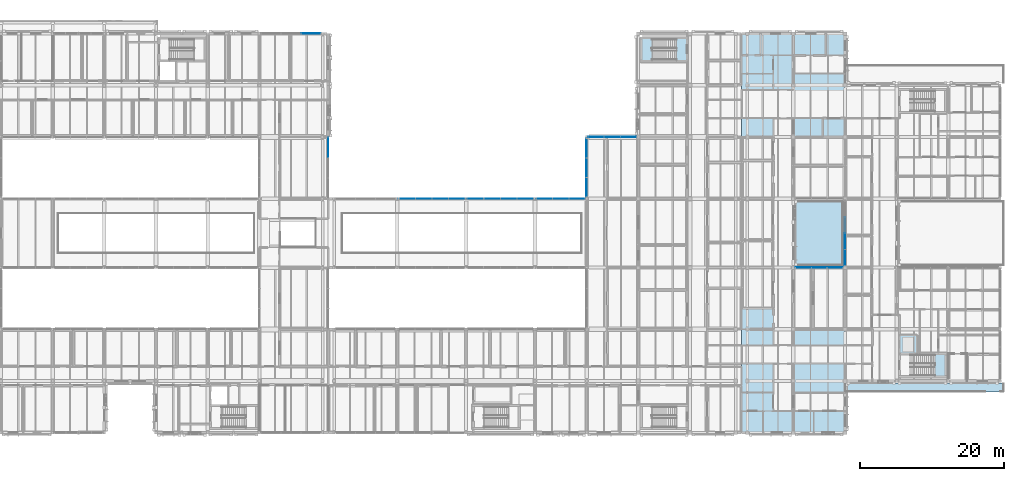
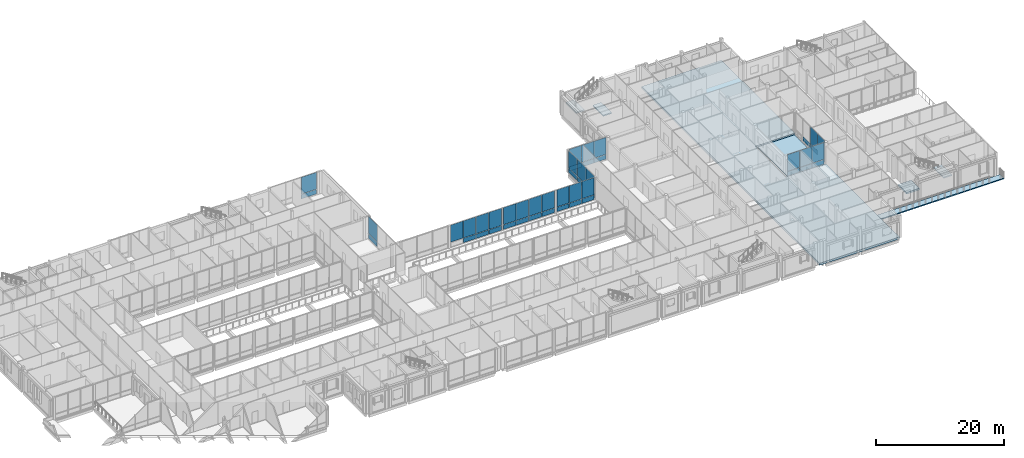
# One storey, part 101 of 146: 48 plates, 7 slabs, 11 elements without a shape of their own.
"""IFC4 building model written with IfcOpenShell, lengths in metres."""

from ifc_helpers import new_model, si_unit, direction, frame, origin, origin_2d, place, context, subcontext, project, spatial, polyline, rectangle, outline, extrude, material, layer, layer_set, type_object, element, aggregate, save


model = new_model("IFC4")

# Units and contexts
model_context = context("Model", 3, precision=1e-05, world=origin(), true_north=direction((0.0, 1.0)))
body_context = subcontext(model_context, "Body", "Model", "MODEL_VIEW")
ifc_project = project(units=[si_unit("LENGTHUNIT", "METRE"), si_unit("AREAUNIT", "SQUARE_METRE"), si_unit("VOLUMEUNIT", "CUBIC_METRE"), si_unit("PLANEANGLEUNIT", "RADIAN"), si_unit("MASSUNIT", "GRAM", prefix="KILO")], contexts=[model_context])

# Site, building, storey
site_placement = place(None, origin())
site = spatial("IfcSite", under=ifc_project, at=site_placement, CompositionType="ELEMENT")
building_placement = place(site_placement, origin())
building = spatial("IfcBuilding", under=site, at=building_placement, Name="Hawrajan Terrace Health Centre", CompositionType="ELEMENT")
storey_placement = place(building_placement, frame((0.0, 0.0, 4.5)))
storey = spatial("IfcBuildingStorey", under=building, at=storey_placement, Name="L01", CompositionType="ELEMENT", Elevation=4.5)

# Slab
ifc_material_1 = material(Name="Concrete C40/50", Category="concrete")
ifc_layer_1 = layer(ifc_material_1, 0.39990234375)
ifc_layer_set_1 = layer_set([ifc_layer_1], Name="Concrete C40/50")
slab_type_1 = type_object("IfcSlabType", Name="BaseSlab_RC400", PredefinedType="BASESLAB", material=ifc_layer_set_1)
slab_1_placement = place(storey_placement, frame((0.0, 0.0, -0.39990234375)))
element("IfcSlab", 1, at=slab_1_placement, inside=storey, type_object=slab_type_1, Name="Structural slab SL-L01-E-V5-Z5-1", PredefinedType="BASESLAB", context=body_context, shape_type="SweptSolid", body=[
    extrude(outline(polyline([(129.405029296875, 18.60009765625), (129.405029296875, 27.199951171875), (129.405029296875, 36.800048828125), (129.405029296875, 45.39990234375), (129.405029296875, 52.60009765625), (129.405029296875, 59.800048828125), (136.60009765625, 59.800048828125), (143.800048828125, 59.800048828125), (143.800048828125, 52.60009765625), (143.800048828125, 52.320068359375), (143.800048828125, 45.39990234375), (143.800048828125, 37.35009765625), (143.800048828125, 36.800048828125), (136.60009765625, 36.800048828125), (136.60009765625, 27.199951171875), (143.800048828125, 27.199951171875), (143.800048828125, 18.60009765625), (143.800048828125, 11.679931640625), (143.800048828125, 11.39990234375), (143.800048828125, 4.199951171875), (136.60009765625, 4.199951171875), (129.405029296875, 4.199951171875), (129.405029296875, 11.39990234375), (129.405029296875, 18.60009765625)])), origin(), (0.0, 0.0, 1.0), 0.39990234375),
])

# Curtain wall, plate
ifc_material_2 = material(Name="Anodized bronze aluminium and low-E solar glazing", Category="aluminium")
curtain_wall_type_1 = type_object("IfcCurtainWallType", Name="CW_Garden_SeriesF1", PredefinedType="USERDEFINED", material=ifc_material_2)
curtain_wall_1_placement = place(storey_placement, origin())
curtain_wall_1 = element("IfcCurtainWall", 2, at=curtain_wall_1_placement, inside=storey, type_object=curtain_wall_type_1, Name="Curtain wall CW-L01-086", ObjectType="UNITISED CURTAIN WALL", PredefinedType="USERDEFINED")
ifc_material_3 = material(Name="Diffused north-light insulated glazing", Category="glass")
ifc_layer_2 = layer(ifc_material_3, 0.031982421875)
ifc_layer_set_2 = layer_set([ifc_layer_2], Name="Diffused north-light insulated glazing")
plate_type_1 = type_object("IfcPlateType", Name="ClerestoryGlassPanel_32", PredefinedType="CURTAIN_PANEL", material=ifc_layer_set_2)
plate_1_placement = place(storey_placement, frame((69.385009765625, 59.800048828125, 0.9814453125), z_axis=(0.0, 0.0, 1.0), x_axis=(1.0, 0.0, 0.0)))
plate_1 = element("IfcPlate", 3, at=plate_1_placement, type_object=plate_type_1, Name="Curtain panel CW-L01-086-P3-2", PredefinedType="CURTAIN_PANEL", context=body_context, shape_type="SweptSolid", body=[
    extrude(rectangle(XDim=2.73193359375, YDim=0.031982421875, at=origin_2d()), origin(), (0.0, 0.0, 1.0), 3.20947265625),
])

# Curtain wall, plates
curtain_wall_type_2 = type_object("IfcCurtainWallType", Name="CW_Diagnostic_SeriesM1", PredefinedType="USERDEFINED", material=ifc_material_2)
curtain_wall_2_placement = place(storey_placement, origin())
curtain_wall_2 = element("IfcCurtainWall", 4, at=curtain_wall_2_placement, inside=storey, type_object=curtain_wall_type_2, Name="Curtain wall CW-L01-095", ObjectType="UNITISED CURTAIN WALL", PredefinedType="USERDEFINED")
plate_2_placement = place(storey_placement, frame((82.77197265625, 36.800048828125, 0.9814453125), z_axis=(0.0, 0.0, 1.0), x_axis=(1.0, 0.0, 0.0)))
plate_2 = element("IfcPlate", 5, at=plate_2_placement, type_object=plate_type_1, Name="Curtain panel CW-L01-095-P1-2", PredefinedType="CURTAIN_PANEL", context=body_context, shape_type="SweptSolid", body=[
    extrude(rectangle(XDim=2.245849609375, YDim=0.031982421875, at=origin_2d()), origin(), (0.0, 0.0, 1.0), 3.24951171875),
])
plate_3_placement = place(storey_placement, frame((85.080810546875, 36.800048828125, 0.9814453125), z_axis=(0.0, 0.0, 1.0), x_axis=(1.0, 0.0, 0.0)))
plate_3 = element("IfcPlate", 6, at=plate_3_placement, type_object=plate_type_1, Name="Curtain panel CW-L01-095-P2-2", PredefinedType="CURTAIN_PANEL", context=body_context, shape_type="SweptSolid", body=[
    extrude(rectangle(XDim=2.245849609375, YDim=0.031982421875, at=origin_2d()), origin(), (0.0, 0.0, 1.0), 3.24951171875),
])
plate_4_placement = place(storey_placement, frame((87.3896484375, 36.800048828125, 0.9814453125), z_axis=(0.0, 0.0, 1.0), x_axis=(1.0, 0.0, 0.0)))
plate_4 = element("IfcPlate", 7, at=plate_4_placement, type_object=plate_type_1, Name="Curtain panel CW-L01-095-P3-2", PredefinedType="CURTAIN_PANEL", context=body_context, shape_type="SweptSolid", body=[
    extrude(rectangle(XDim=2.245849609375, YDim=0.031982421875, at=origin_2d()), origin(), (0.0, 0.0, 1.0), 3.24951171875),
])
plate_5_placement = place(storey_placement, frame((89.698486328125, 36.800048828125, 0.9814453125), z_axis=(0.0, 0.0, 1.0), x_axis=(1.0, 0.0, 0.0)))
plate_5 = element("IfcPlate", 8, at=plate_5_placement, type_object=plate_type_1, Name="Curtain panel CW-L01-095-P4-2", PredefinedType="CURTAIN_PANEL", context=body_context, shape_type="SweptSolid", body=[
    extrude(rectangle(XDim=2.245849609375, YDim=0.031982421875, at=origin_2d()), origin(), (0.0, 0.0, 1.0), 3.24951171875),
])

curtain_wall_type_3 = type_object("IfcCurtainWallType", Name="CW_Court_SeriesA2", PredefinedType="USERDEFINED", material=ifc_material_2)
curtain_wall_3_placement = place(storey_placement, origin())
curtain_wall_3 = element("IfcCurtainWall", 9, at=curtain_wall_3_placement, inside=storey, type_object=curtain_wall_type_3, Name="Curtain wall CW-L01-098", ObjectType="UNITISED CURTAIN WALL", PredefinedType="USERDEFINED")
plate_6_placement = place(storey_placement, frame((92.30517578125, 36.800048828125, 0.9814453125), z_axis=(0.0, 0.0, 1.0), x_axis=(1.0, 0.0, 0.0)))
plate_6 = element("IfcPlate", 10, at=plate_6_placement, type_object=plate_type_1, Name="Curtain panel CW-L01-098-P1-2", PredefinedType="CURTAIN_PANEL", context=body_context, shape_type="SweptSolid", body=[
    extrude(rectangle(XDim=2.25341796875, YDim=0.031982421875, at=origin_2d()), origin(), (0.0, 0.0, 1.0), 3.24951171875),
])
plate_7_placement = place(storey_placement, frame((94.62158203125, 36.800048828125, 0.9814453125), z_axis=(0.0, 0.0, 1.0), x_axis=(1.0, 0.0, 0.0)))
plate_7 = element("IfcPlate", 11, at=plate_7_placement, type_object=plate_type_1, Name="Curtain panel CW-L01-098-P2-2", PredefinedType="CURTAIN_PANEL", context=body_context, shape_type="SweptSolid", body=[
    extrude(rectangle(XDim=2.25341796875, YDim=0.031982421875, at=origin_2d()), origin(), (0.0, 0.0, 1.0), 3.24951171875),
])
plate_8_placement = place(storey_placement, frame((96.93798828125, 36.800048828125, 0.9814453125), z_axis=(0.0, 0.0, 1.0), x_axis=(1.0, 0.0, 0.0)))
plate_8 = element("IfcPlate", 12, at=plate_8_placement, type_object=plate_type_1, Name="Curtain panel CW-L01-098-P3-2", PredefinedType="CURTAIN_PANEL", context=body_context, shape_type="SweptSolid", body=[
    extrude(rectangle(XDim=2.25341796875, YDim=0.031982421875, at=origin_2d()), origin(), (0.0, 0.0, 1.0), 3.24951171875),
])
plate_9_placement = place(storey_placement, frame((99.25439453125, 36.800048828125, 0.9814453125), z_axis=(0.0, 0.0, 1.0), x_axis=(1.0, 0.0, 0.0)))
plate_9 = element("IfcPlate", 13, at=plate_9_placement, type_object=plate_type_1, Name="Curtain panel CW-L01-098-P4-2", PredefinedType="CURTAIN_PANEL", context=body_context, shape_type="SweptSolid", body=[
    extrude(rectangle(XDim=2.25341796875, YDim=0.031982421875, at=origin_2d()), origin(), (0.0, 0.0, 1.0), 3.24951171875),
])

curtain_wall_type_4 = type_object("IfcCurtainWallType", Name="CW_Court_SeriesB2", PredefinedType="USERDEFINED", material=ifc_material_2)
curtain_wall_4_placement = place(storey_placement, origin())
curtain_wall_4 = element("IfcCurtainWall", 14, at=curtain_wall_4_placement, inside=storey, type_object=curtain_wall_type_4, Name="Curtain wall CW-L01-101", ObjectType="UNITISED CURTAIN WALL", PredefinedType="USERDEFINED")
plate_10_placement = place(storey_placement, frame((101.919921875, 36.800048828125, 0.9814453125), z_axis=(0.0, 0.0, 1.0), x_axis=(1.0, 0.0, 0.0)))
plate_10 = element("IfcPlate", 15, at=plate_10_placement, type_object=plate_type_1, Name="Curtain panel CW-L01-101-P1-2", PredefinedType="CURTAIN_PANEL", context=body_context, shape_type="SweptSolid", body=[
    extrude(rectangle(XDim=2.201904296875, YDim=0.031982421875, at=origin_2d()), origin(), (0.0, 0.0, 1.0), 3.24951171875),
])
plate_11_placement = place(storey_placement, frame((104.18505859375, 36.800048828125, 0.9814453125), z_axis=(0.0, 0.0, 1.0), x_axis=(1.0, 0.0, 0.0)))
plate_11 = element("IfcPlate", 16, at=plate_11_placement, type_object=plate_type_1, Name="Curtain panel CW-L01-101-P2-2", PredefinedType="CURTAIN_PANEL", context=body_context, shape_type="SweptSolid", body=[
    extrude(rectangle(XDim=2.201904296875, YDim=0.031982421875, at=origin_2d()), origin(), (0.0, 0.0, 1.0), 3.24951171875),
])
plate_12_placement = place(storey_placement, frame((106.449951171875, 36.800048828125, 0.9814453125), z_axis=(0.0, 0.0, 1.0), x_axis=(1.0, 0.0, 0.0)))
plate_12 = element("IfcPlate", 17, at=plate_12_placement, type_object=plate_type_1, Name="Curtain panel CW-L01-101-P3-2", PredefinedType="CURTAIN_PANEL", context=body_context, shape_type="SweptSolid", body=[
    extrude(rectangle(XDim=2.201904296875, YDim=0.031982421875, at=origin_2d()), origin(), (0.0, 0.0, 1.0), 3.24951171875),
])

curtain_wall_type_5 = type_object("IfcCurtainWallType", Name="CW_CourtNS_SeriesC2", PredefinedType="USERDEFINED", material=ifc_material_2)
curtain_wall_5_placement = place(storey_placement, origin())
curtain_wall_5 = element("IfcCurtainWall", 18, at=curtain_wall_5_placement, inside=storey, type_object=curtain_wall_type_5, Name="Curtain wall CW-L01-104", ObjectType="UNITISED CURTAIN WALL", PredefinedType="USERDEFINED")
plate_13_placement = place(storey_placement, frame((107.800048828125, 38.37841796875, 0.9814453125), z_axis=(0.0, 0.0, 1.0), x_axis=(0.0, 1.0, 0.0)))
plate_13 = element("IfcPlate", 19, at=plate_13_placement, type_object=plate_type_1, Name="Curtain panel CW-L01-104-P1-2", PredefinedType="CURTAIN_PANEL", context=body_context, shape_type="SweptSolid", body=[
    extrude(rectangle(XDim=2.65869140625, YDim=0.031982421875, at=origin_2d()), origin(), (0.0, 0.0, 1.0), 3.24951171875),
])
plate_14_placement = place(storey_placement, frame((107.800048828125, 41.10009765625, 0.9814453125), z_axis=(0.0, 0.0, 1.0), x_axis=(0.0, 1.0, 0.0)))
plate_14 = element("IfcPlate", 20, at=plate_14_placement, type_object=plate_type_1, Name="Curtain panel CW-L01-104-P2-2", PredefinedType="CURTAIN_PANEL", context=body_context, shape_type="SweptSolid", body=[
    extrude(rectangle(XDim=2.65869140625, YDim=0.031982421875, at=origin_2d()), origin(), (0.0, 0.0, 1.0), 3.24951171875),
])
plate_15_placement = place(storey_placement, frame((107.800048828125, 43.82177734375, 0.9814453125), z_axis=(0.0, 0.0, 1.0), x_axis=(0.0, 1.0, 0.0)))
plate_15 = element("IfcPlate", 21, at=plate_15_placement, type_object=plate_type_1, Name="Curtain panel CW-L01-104-P3-2", PredefinedType="CURTAIN_PANEL", context=body_context, shape_type="SweptSolid", body=[
    extrude(rectangle(XDim=2.65869140625, YDim=0.031982421875, at=origin_2d()), origin(), (0.0, 0.0, 1.0), 3.24951171875),
])

curtain_wall_type_6 = type_object("IfcCurtainWallType", Name="CW_Hall_SeriesD2", PredefinedType="USERDEFINED", material=ifc_material_2)
curtain_wall_6_placement = place(storey_placement, origin())
curtain_wall_6 = element("IfcCurtainWall", 22, at=curtain_wall_6_placement, inside=storey, type_object=curtain_wall_type_6, Name="Curtain wall CW-L01-107", ObjectType="UNITISED CURTAIN WALL", PredefinedType="USERDEFINED")
plate_16_placement = place(storey_placement, frame((143.800048828125, 28.615478515625, 0.9814453125), z_axis=(0.0, 0.0, 1.0), x_axis=(0.0, 1.0, 0.0)))
plate_16 = element("IfcPlate", 23, at=plate_16_placement, type_object=plate_type_1, Name="Curtain panel CW-L01-107-P1-2", PredefinedType="CURTAIN_PANEL", context=body_context, shape_type="SweptSolid", body=[
    extrude(rectangle(XDim=2.193115234375, YDim=0.031982421875, at=origin_2d()), origin(), (0.0, 0.0, 1.0), 3.20947265625),
])
plate_17_placement = place(storey_placement, frame((143.800048828125, 30.871826171875, 0.9814453125), z_axis=(0.0, 0.0, 1.0), x_axis=(0.0, 1.0, 0.0)))
plate_17 = element("IfcPlate", 24, at=plate_17_placement, type_object=plate_type_1, Name="Curtain panel CW-L01-107-P2-2", PredefinedType="CURTAIN_PANEL", context=body_context, shape_type="SweptSolid", body=[
    extrude(rectangle(XDim=2.193115234375, YDim=0.031982421875, at=origin_2d()), origin(), (0.0, 0.0, 1.0), 3.20947265625),
])

# Slabs
ifc_layer_3 = layer(ifc_material_1, 0.300048828125)
ifc_layer_set_3 = layer_set([ifc_layer_3], Name="Concrete C40/50")
slab_type_2 = type_object("IfcSlabType", Name="LiftPitSlab_RC300", PredefinedType="BASESLAB", material=ifc_layer_set_3)
slab_2_placement = place(storey_placement, frame((0.0, 0.0, -1.199951171875)))
element("IfcSlab", 25, at=slab_2_placement, inside=storey, type_object=slab_type_2, Name="Lift pit slab LC-06", PredefinedType="BASESLAB", context=body_context, shape_type="SweptSolid", body=[
    extrude(outline(polyline([(151.39990234375, 15.199951171875), (153.800048828125, 15.199951171875), (153.800048828125, 17.800048828125), (151.39990234375, 17.800048828125), (151.39990234375, 15.199951171875)])), origin(), (0.0, 0.0, 1.0), 0.300048828125),
])
ifc_layer_4 = layer(ifc_material_1, 0.199951171875)
ifc_layer_set_4 = layer_set([ifc_layer_4], Name="Concrete C40/50")
slab_type_3 = type_object("IfcSlabType", Name="SiteApronPaving_RC200", PredefinedType="BASESLAB", material=ifc_layer_set_4)
slab_3_placement = place(storey_placement, frame((0.0, 0.0, -0.199951171875)))
element("IfcSlab", 26, at=slab_3_placement, inside=storey, type_object=slab_type_3, Name="Exterior escarpment terrace APRON-L01-EAST-SOUTH", PredefinedType="BASESLAB", context=body_context, shape_type="SweptSolid", body=[
    extrude(outline(polyline([(143.800048828125, 9.89990234375), (165.949951171875, 9.89990234375), (165.949951171875, 11.090087890625), (143.800048828125, 11.090087890625), (143.800048828125, 9.89990234375)])), origin(), (0.0, 0.0, 1.0), 0.199951171875),
])
slab_4_placement = place(storey_placement, frame((0.0, 0.0, -0.199951171875)))
element("IfcSlab", 27, at=slab_4_placement, inside=storey, type_object=slab_type_3, Name="Exterior escarpment terrace APRON-L01-SERVICE", PredefinedType="BASESLAB", context=body_context, shape_type="SweptSolid", body=[
    extrude(outline(polyline([(136.909912109375, 27.510009765625), (143.489990234375, 27.510009765625), (143.489990234375, 36.489990234375), (136.909912109375, 36.489990234375), (136.909912109375, 27.510009765625)])), origin(), (0.0, 0.0, 1.0), 0.199951171875),
])

# Plate
ifc_material_4 = material(Name="Insulated anodized bronze spandrel panel")
ifc_layer_5 = layer(ifc_material_4, 0.048095703125)
ifc_layer_set_5 = layer_set([ifc_layer_5], Name="Insulated anodized bronze spandrel panel")
plate_type_2 = type_object("IfcPlateType", Name="SpandrelPanel_Bronze48", PredefinedType="CURTAIN_PANEL", material=ifc_layer_set_5)
plate_18_placement = place(storey_placement, frame((69.385009765625, 59.800048828125, 0.069091796875), z_axis=(0.0, 0.0, 1.0), x_axis=(1.0, 0.0, 0.0)))
plate_18 = element("IfcPlate", 28, at=plate_18_placement, type_object=plate_type_2, Name="Curtain panel CW-L01-086-P3-1", PredefinedType="CURTAIN_PANEL", context=body_context, shape_type="SweptSolid", body=[
    extrude(rectangle(XDim=2.73193359375, YDim=0.048095703125, at=origin_2d()), origin(), (0.0, 0.0, 1.0), 0.849609375),
])

aggregate(curtain_wall_1, [plate_18, plate_1])

plate_19_placement = place(storey_placement, frame((92.30517578125, 36.800048828125, 0.069091796875), z_axis=(0.0, 0.0, 1.0), x_axis=(1.0, 0.0, 0.0)))
plate_19 = element("IfcPlate", 29, at=plate_19_placement, type_object=plate_type_2, Name="Curtain panel CW-L01-098-P1-1", PredefinedType="CURTAIN_PANEL", context=body_context, shape_type="SweptSolid", body=[
    extrude(rectangle(XDim=2.25341796875, YDim=0.048095703125, at=origin_2d()), origin(), (0.0, 0.0, 1.0), 0.849609375),
])

plate_20_placement = place(storey_placement, frame((94.62158203125, 36.800048828125, 0.069091796875), z_axis=(0.0, 0.0, 1.0), x_axis=(1.0, 0.0, 0.0)))
plate_20 = element("IfcPlate", 30, at=plate_20_placement, type_object=plate_type_2, Name="Curtain panel CW-L01-098-P2-1", PredefinedType="CURTAIN_PANEL", context=body_context, shape_type="SweptSolid", body=[
    extrude(rectangle(XDim=2.25341796875, YDim=0.048095703125, at=origin_2d()), origin(), (0.0, 0.0, 1.0), 0.849609375),
])

plate_21_placement = place(storey_placement, frame((96.93798828125, 36.800048828125, 0.069091796875), z_axis=(0.0, 0.0, 1.0), x_axis=(1.0, 0.0, 0.0)))
plate_21 = element("IfcPlate", 31, at=plate_21_placement, type_object=plate_type_2, Name="Curtain panel CW-L01-098-P3-1", PredefinedType="CURTAIN_PANEL", context=body_context, shape_type="SweptSolid", body=[
    extrude(rectangle(XDim=2.25341796875, YDim=0.048095703125, at=origin_2d()), origin(), (0.0, 0.0, 1.0), 0.849609375),
])

plate_22_placement = place(storey_placement, frame((99.25439453125, 36.800048828125, 0.069091796875), z_axis=(0.0, 0.0, 1.0), x_axis=(1.0, 0.0, 0.0)))
plate_22 = element("IfcPlate", 32, at=plate_22_placement, type_object=plate_type_2, Name="Curtain panel CW-L01-098-P4-1", PredefinedType="CURTAIN_PANEL", context=body_context, shape_type="SweptSolid", body=[
    extrude(rectangle(XDim=2.25341796875, YDim=0.048095703125, at=origin_2d()), origin(), (0.0, 0.0, 1.0), 0.849609375),
])

aggregate(curtain_wall_3, [plate_19, plate_6, plate_20, plate_7, plate_21, plate_8, plate_22, plate_9])

plate_23_placement = place(storey_placement, frame((107.800048828125, 38.37841796875, 0.069091796875), z_axis=(0.0, 0.0, 1.0), x_axis=(0.0, 1.0, 0.0)))
plate_23 = element("IfcPlate", 33, at=plate_23_placement, type_object=plate_type_2, Name="Curtain panel CW-L01-104-P1-1", PredefinedType="CURTAIN_PANEL", context=body_context, shape_type="SweptSolid", body=[
    extrude(rectangle(XDim=2.65869140625, YDim=0.048095703125, at=origin_2d()), origin(), (0.0, 0.0, 1.0), 0.849609375),
])

plate_24_placement = place(storey_placement, frame((107.800048828125, 41.10009765625, 0.069091796875), z_axis=(0.0, 0.0, 1.0), x_axis=(0.0, 1.0, 0.0)))
plate_24 = element("IfcPlate", 34, at=plate_24_placement, type_object=plate_type_2, Name="Curtain panel CW-L01-104-P2-1", PredefinedType="CURTAIN_PANEL", context=body_context, shape_type="SweptSolid", body=[
    extrude(rectangle(XDim=2.65869140625, YDim=0.048095703125, at=origin_2d()), origin(), (0.0, 0.0, 1.0), 0.849609375),
])

plate_25_placement = place(storey_placement, frame((107.800048828125, 43.82177734375, 0.069091796875), z_axis=(0.0, 0.0, 1.0), x_axis=(0.0, 1.0, 0.0)))
plate_25 = element("IfcPlate", 35, at=plate_25_placement, type_object=plate_type_2, Name="Curtain panel CW-L01-104-P3-1", PredefinedType="CURTAIN_PANEL", context=body_context, shape_type="SweptSolid", body=[
    extrude(rectangle(XDim=2.65869140625, YDim=0.048095703125, at=origin_2d()), origin(), (0.0, 0.0, 1.0), 0.849609375),
])

aggregate(curtain_wall_5, [plate_23, plate_13, plate_24, plate_14, plate_25, plate_15])

# Curtain wall, plate
curtain_wall_type_7 = type_object("IfcCurtainWallType", Name="CW_Pavilion_SeriesE2", PredefinedType="USERDEFINED", material=ifc_material_2)
curtain_wall_7_placement = place(storey_placement, origin())
curtain_wall_7 = element("IfcCurtainWall", 36, at=curtain_wall_7_placement, inside=storey, type_object=curtain_wall_type_7, Name="Curtain wall CW-L01-085", ObjectType="UNITISED CURTAIN WALL", PredefinedType="USERDEFINED")
ifc_material_5 = material(Name="Insulated reconstituted coral-stone spandrel", Category="masonry")
ifc_layer_6 = layer(ifc_material_5, 0.055908203125)
ifc_layer_set_6 = layer_set([ifc_layer_6], Name="Insulated reconstituted coral-stone spandrel")
plate_type_3 = type_object("IfcPlateType", Name="SpandrelPanel_Coral56", PredefinedType="CURTAIN_PANEL", material=ifc_layer_set_6)
plate_26_placement = place(storey_placement, frame((71.794921875, 43.945068359375, 0.05908203125), z_axis=(0.0, 0.0, 1.0), x_axis=(0.0, 1.0, 0.0)))
plate_26 = element("IfcPlate", 37, at=plate_26_placement, type_object=plate_type_3, Name="Curtain panel CW-L01-085-P3-1", PredefinedType="CURTAIN_PANEL", context=body_context, shape_type="SweptSolid", body=[
    extrude(rectangle(XDim=2.7919921875, YDim=0.055908203125, at=origin_2d()), origin(), (0.0, 0.0, 1.0), 0.864501953125),
])

# Plate
plate_27_placement = place(storey_placement, frame((85.080810546875, 36.800048828125, 0.069091796875), z_axis=(0.0, 0.0, 1.0), x_axis=(1.0, 0.0, 0.0)))
plate_27 = element("IfcPlate", 38, at=plate_27_placement, type_object=plate_type_3, Name="Curtain panel CW-L01-095-P2-1", PredefinedType="CURTAIN_PANEL", context=body_context, shape_type="SweptSolid", body=[
    extrude(rectangle(XDim=2.245849609375, YDim=0.055908203125, at=origin_2d()), origin(), (0.0, 0.0, 1.0), 0.849609375),
])

plate_28_placement = place(storey_placement, frame((87.3896484375, 36.800048828125, 0.069091796875), z_axis=(0.0, 0.0, 1.0), x_axis=(1.0, 0.0, 0.0)))
plate_28 = element("IfcPlate", 39, at=plate_28_placement, type_object=plate_type_3, Name="Curtain panel CW-L01-095-P3-1", PredefinedType="CURTAIN_PANEL", context=body_context, shape_type="SweptSolid", body=[
    extrude(rectangle(XDim=2.245849609375, YDim=0.055908203125, at=origin_2d()), origin(), (0.0, 0.0, 1.0), 0.849609375),
])

plate_29_placement = place(storey_placement, frame((89.698486328125, 36.800048828125, 0.069091796875), z_axis=(0.0, 0.0, 1.0), x_axis=(1.0, 0.0, 0.0)))
plate_29 = element("IfcPlate", 40, at=plate_29_placement, type_object=plate_type_3, Name="Curtain panel CW-L01-095-P4-1", PredefinedType="CURTAIN_PANEL", context=body_context, shape_type="SweptSolid", body=[
    extrude(rectangle(XDim=2.245849609375, YDim=0.055908203125, at=origin_2d()), origin(), (0.0, 0.0, 1.0), 0.849609375),
])

aggregate(curtain_wall_2, [plate_2, plate_27, plate_3, plate_28, plate_4, plate_29, plate_5])

plate_30_placement = place(storey_placement, frame((101.919921875, 36.800048828125, 0.069091796875), z_axis=(0.0, 0.0, 1.0), x_axis=(1.0, 0.0, 0.0)))
plate_30 = element("IfcPlate", 41, at=plate_30_placement, type_object=plate_type_3, Name="Curtain panel CW-L01-101-P1-1", PredefinedType="CURTAIN_PANEL", context=body_context, shape_type="SweptSolid", body=[
    extrude(rectangle(XDim=2.201904296875, YDim=0.055908203125, at=origin_2d()), origin(), (0.0, 0.0, 1.0), 0.849609375),
])

plate_31_placement = place(storey_placement, frame((104.18505859375, 36.800048828125, 0.069091796875), z_axis=(0.0, 0.0, 1.0), x_axis=(1.0, 0.0, 0.0)))
plate_31 = element("IfcPlate", 42, at=plate_31_placement, type_object=plate_type_3, Name="Curtain panel CW-L01-101-P2-1", PredefinedType="CURTAIN_PANEL", context=body_context, shape_type="SweptSolid", body=[
    extrude(rectangle(XDim=2.201904296875, YDim=0.055908203125, at=origin_2d()), origin(), (0.0, 0.0, 1.0), 0.849609375),
])

plate_32_placement = place(storey_placement, frame((106.449951171875, 36.800048828125, 0.069091796875), z_axis=(0.0, 0.0, 1.0), x_axis=(1.0, 0.0, 0.0)))
plate_32 = element("IfcPlate", 43, at=plate_32_placement, type_object=plate_type_3, Name="Curtain panel CW-L01-101-P3-1", PredefinedType="CURTAIN_PANEL", context=body_context, shape_type="SweptSolid", body=[
    extrude(rectangle(XDim=2.201904296875, YDim=0.055908203125, at=origin_2d()), origin(), (0.0, 0.0, 1.0), 0.849609375),
])

aggregate(curtain_wall_4, [plate_30, plate_10, plate_31, plate_11, plate_32, plate_12])

# Curtain wall, plates
curtain_wall_type_8 = type_object("IfcCurtainWallType", Name="CW_CourtNS_SeriesC1", PredefinedType="USERDEFINED", material=ifc_material_2)
curtain_wall_8_placement = place(storey_placement, origin())
curtain_wall_8 = element("IfcCurtainWall", 44, at=curtain_wall_8_placement, inside=storey, type_object=curtain_wall_type_8, Name="Curtain wall CW-L01-103", ObjectType="UNITISED CURTAIN WALL", PredefinedType="USERDEFINED")
plate_33_placement = place(storey_placement, frame((109.1298828125, 45.39990234375, 0.05908203125), z_axis=(0.0, 0.0, 1.0), x_axis=(1.0, 0.0, 0.0)))
plate_33 = element("IfcPlate", 45, at=plate_33_placement, type_object=plate_type_3, Name="Curtain panel CW-L01-103-P1-1", PredefinedType="CURTAIN_PANEL", context=body_context, shape_type="SweptSolid", body=[
    extrude(rectangle(XDim=2.181884765625, YDim=0.055908203125, at=origin_2d()), origin(), (0.0, 0.0, 1.0), 0.864501953125),
])
plate_34_placement = place(storey_placement, frame((111.364990234375, 45.39990234375, 0.05908203125), z_axis=(0.0, 0.0, 1.0), x_axis=(1.0, 0.0, 0.0)))
plate_34 = element("IfcPlate", 46, at=plate_34_placement, type_object=plate_type_3, Name="Curtain panel CW-L01-103-P2-1", PredefinedType="CURTAIN_PANEL", context=body_context, shape_type="SweptSolid", body=[
    extrude(rectangle(XDim=2.181884765625, YDim=0.055908203125, at=origin_2d()), origin(), (0.0, 0.0, 1.0), 0.864501953125),
])
plate_35_placement = place(storey_placement, frame((113.60009765625, 45.39990234375, 0.05908203125), z_axis=(0.0, 0.0, 1.0), x_axis=(1.0, 0.0, 0.0)))
plate_35 = element("IfcPlate", 47, at=plate_35_placement, type_object=plate_type_3, Name="Curtain panel CW-L01-103-P3-1", PredefinedType="CURTAIN_PANEL", context=body_context, shape_type="SweptSolid", body=[
    extrude(rectangle(XDim=2.181884765625, YDim=0.055908203125, at=origin_2d()), origin(), (0.0, 0.0, 1.0), 0.864501953125),
])

curtain_wall_type_9 = type_object("IfcCurtainWallType", Name="CW_CourtNS_SeriesC3", PredefinedType="USERDEFINED", material=ifc_material_2)
curtain_wall_9_placement = place(storey_placement, origin())
curtain_wall_9 = element("IfcCurtainWall", 48, at=curtain_wall_9_placement, inside=storey, type_object=curtain_wall_type_9, Name="Curtain wall CW-L01-105", ObjectType="UNITISED CURTAIN WALL", PredefinedType="USERDEFINED")
plate_36_placement = place(storey_placement, frame((137.98828125, 27.199951171875, 0.05908203125), z_axis=(0.0, 0.0, 1.0), x_axis=(1.0, 0.0, 0.0)))
plate_36 = element("IfcPlate", 49, at=plate_36_placement, type_object=plate_type_3, Name="Curtain panel CW-L01-105-P1-1", PredefinedType="CURTAIN_PANEL", context=body_context, shape_type="SweptSolid", body=[
    extrude(rectangle(XDim=2.15869140625, YDim=0.055908203125, at=origin_2d()), origin(), (0.0, 0.0, 1.0), 0.864501953125),
])
plate_37_placement = place(storey_placement, frame((140.199951171875, 27.199951171875, 0.05908203125), z_axis=(0.0, 0.0, 1.0), x_axis=(1.0, 0.0, 0.0)))
plate_37 = element("IfcPlate", 50, at=plate_37_placement, type_object=plate_type_3, Name="Curtain panel CW-L01-105-P2-1", PredefinedType="CURTAIN_PANEL", context=body_context, shape_type="SweptSolid", body=[
    extrude(rectangle(XDim=2.15869140625, YDim=0.055908203125, at=origin_2d()), origin(), (0.0, 0.0, 1.0), 0.864501953125),
])
plate_38_placement = place(storey_placement, frame((142.41162109375, 27.199951171875, 0.05908203125), z_axis=(0.0, 0.0, 1.0), x_axis=(1.0, 0.0, 0.0)))
plate_38 = element("IfcPlate", 51, at=plate_38_placement, type_object=plate_type_3, Name="Curtain panel CW-L01-105-P3-1", PredefinedType="CURTAIN_PANEL", context=body_context, shape_type="SweptSolid", body=[
    extrude(rectangle(XDim=2.15869140625, YDim=0.055908203125, at=origin_2d()), origin(), (0.0, 0.0, 1.0), 0.864501953125),
])

# Plate
plate_39_placement = place(storey_placement, frame((143.800048828125, 28.615478515625, 0.069091796875), z_axis=(0.0, 0.0, 1.0), x_axis=(0.0, 1.0, 0.0)))
plate_39 = element("IfcPlate", 52, at=plate_39_placement, type_object=plate_type_3, Name="Curtain panel CW-L01-107-P1-1", PredefinedType="CURTAIN_PANEL", context=body_context, shape_type="SweptSolid", body=[
    extrude(rectangle(XDim=2.193115234375, YDim=0.055908203125, at=origin_2d()), origin(), (0.0, 0.0, 1.0), 0.849609375),
])

plate_40_placement = place(storey_placement, frame((143.800048828125, 30.871826171875, 0.069091796875), z_axis=(0.0, 0.0, 1.0), x_axis=(0.0, 1.0, 0.0)))
plate_40 = element("IfcPlate", 53, at=plate_40_placement, type_object=plate_type_3, Name="Curtain panel CW-L01-107-P2-1", PredefinedType="CURTAIN_PANEL", context=body_context, shape_type="SweptSolid", body=[
    extrude(rectangle(XDim=2.193115234375, YDim=0.055908203125, at=origin_2d()), origin(), (0.0, 0.0, 1.0), 0.849609375),
])

plate_41_placement = place(storey_placement, frame((143.800048828125, 33.128173828125, 0.069091796875), z_axis=(0.0, 0.0, 1.0), x_axis=(0.0, 1.0, 0.0)))
plate_41 = element("IfcPlate", 54, at=plate_41_placement, type_object=plate_type_3, Name="Curtain panel CW-L01-107-P3-1", PredefinedType="CURTAIN_PANEL", context=body_context, shape_type="SweptSolid", body=[
    extrude(rectangle(XDim=2.193359375, YDim=0.055908203125, at=origin_2d()), origin(), (0.0, 0.0, 1.0), 0.849609375),
])

aggregate(curtain_wall_6, [plate_39, plate_16, plate_40, plate_17, plate_41])

# Stair, slabs
stair_type_1 = type_object("IfcStairType", Name="Stair_4500_W1300", PredefinedType="HALF_TURN_STAIR", material=ifc_material_1)
stair_1_placement = place(storey_placement, origin())
stair_1 = element("IfcStair", 55, at=stair_1_placement, inside=storey, type_object=stair_type_1, Name="Stair ST-7-L01", PredefinedType="HALF_TURN_STAIR")
ifc_layer_7 = layer(ifc_material_1, 0.219970703125)
ifc_layer_set_7 = layer_set([ifc_layer_7], Name="Concrete C40/50")
slab_type_4 = type_object("IfcSlabType", Name="StairLanding_RC220", PredefinedType="LANDING", material=ifc_layer_set_7)
slab_5_placement = place(storey_placement, frame((0.0, 0.0, -0.219970703125)))
slab_5 = element("IfcSlab", 56, at=slab_5_placement, type_object=slab_type_4, Name="Stair floor landing ST-7-L01-L0", PredefinedType="LANDING", context=body_context, shape_type="SweptSolid", body=[
    extrude(outline(polyline([(120.300048828125, 56.0), (121.800048828125, 56.0), (121.800048828125, 59.199951171875), (120.300048828125, 59.199951171875), (120.300048828125, 56.0)])), origin(), (0.0, 0.0, 1.0), 0.219970703125),
])
slab_6_placement = place(storey_placement, frame((0.0, 0.0, 2.030029296875)))
slab_6 = element("IfcSlab", 57, at=slab_6_placement, type_object=slab_type_4, Name="Stair half landing ST-7-L01-L1", PredefinedType="LANDING", context=body_context, shape_type="SweptSolid", body=[
    extrude(outline(polyline([(115.39990234375, 56.0), (116.89990234375, 56.0), (116.89990234375, 59.199951171875), (115.39990234375, 59.199951171875), (115.39990234375, 56.0)])), origin(), (0.0, 0.0, 1.0), 0.219970703125),
])
aggregate(stair_1, [slab_5, slab_6])

# Stair, slab
stair_type_2 = type_object("IfcStairType", Name="Stair_4500_W1250", PredefinedType="HALF_TURN_STAIR", material=ifc_material_1)
stair_2_placement = place(storey_placement, origin())
stair_2 = element("IfcStair", 58, at=stair_2_placement, inside=storey, type_object=stair_type_2, Name="Stair ST-8-L01", PredefinedType="HALF_TURN_STAIR")
slab_7_placement = place(storey_placement, frame((0.0, 0.0, 2.030029296875)))
slab_7 = element("IfcSlab", 59, at=slab_7_placement, type_object=slab_type_4, Name="Stair half landing ST-8-L01-L1", PredefinedType="LANDING", context=body_context, shape_type="SweptSolid", body=[
    extrude(outline(polyline([(156.300048828125, 12.0), (157.800048828125, 12.0), (157.800048828125, 15.199951171875), (156.300048828125, 15.199951171875), (156.300048828125, 12.0)])), origin(), (0.0, 0.0, 1.0), 0.219970703125),
])
aggregate(stair_2, [slab_7])

# Plate
ifc_material_6 = material(Name="Double-glazed solar control low-E glass", Category="glass")
ifc_layer_8 = layer(ifc_material_6, 0.028076171875)
ifc_layer_set_8 = layer_set([ifc_layer_8], Name="Double-glazed solar control low-E glass")
plate_type_4 = type_object("IfcPlateType", Name="VisionGlassPanel_28", PredefinedType="CURTAIN_PANEL", material=ifc_layer_set_8)
plate_42_placement = place(storey_placement, frame((137.98828125, 27.199951171875, 0.976318359375), z_axis=(0.0, 0.0, 1.0), x_axis=(1.0, 0.0, 0.0)))
plate_42 = element("IfcPlate", 60, at=plate_42_placement, type_object=plate_type_4, Name="Curtain panel CW-L01-105-P1-2", PredefinedType="CURTAIN_PANEL", context=body_context, shape_type="SweptSolid", body=[
    extrude(rectangle(XDim=2.15869140625, YDim=0.028076171875, at=origin_2d()), origin(), (0.0, 0.0, 1.0), 3.1845703125),
])

plate_43_placement = place(storey_placement, frame((140.199951171875, 27.199951171875, 0.976318359375), z_axis=(0.0, 0.0, 1.0), x_axis=(1.0, 0.0, 0.0)))
plate_43 = element("IfcPlate", 61, at=plate_43_placement, type_object=plate_type_4, Name="Curtain panel CW-L01-105-P2-2", PredefinedType="CURTAIN_PANEL", context=body_context, shape_type="SweptSolid", body=[
    extrude(rectangle(XDim=2.15869140625, YDim=0.028076171875, at=origin_2d()), origin(), (0.0, 0.0, 1.0), 3.1845703125),
])

plate_44_placement = place(storey_placement, frame((142.41162109375, 27.199951171875, 0.976318359375), z_axis=(0.0, 0.0, 1.0), x_axis=(1.0, 0.0, 0.0)))
plate_44 = element("IfcPlate", 62, at=plate_44_placement, type_object=plate_type_4, Name="Curtain panel CW-L01-105-P3-2", PredefinedType="CURTAIN_PANEL", context=body_context, shape_type="SweptSolid", body=[
    extrude(rectangle(XDim=2.15869140625, YDim=0.028076171875, at=origin_2d()), origin(), (0.0, 0.0, 1.0), 3.1845703125),
])

aggregate(curtain_wall_9, [plate_36, plate_42, plate_37, plate_43, plate_38, plate_44])

ifc_material_7 = material(Name="Triple-glazed solar acoustic low-E glass", Category="glass")
ifc_layer_9 = layer(ifc_material_7, 0.035888671875)
ifc_layer_set_9 = layer_set([ifc_layer_9], Name="Triple-glazed solar acoustic low-E glass")
plate_type_5 = type_object("IfcPlateType", Name="VisionGlassPanel_36", PredefinedType="CURTAIN_PANEL", material=ifc_layer_set_9)
plate_45_placement = place(storey_placement, frame((71.794921875, 43.945068359375, 0.9765625), z_axis=(0.0, 0.0, 1.0), x_axis=(0.0, 1.0, 0.0)))
plate_45 = element("IfcPlate", 63, at=plate_45_placement, type_object=plate_type_5, Name="Curtain panel CW-L01-085-P3-2", PredefinedType="CURTAIN_PANEL", context=body_context, shape_type="SweptSolid", body=[
    extrude(rectangle(XDim=2.7919921875, YDim=0.035888671875, at=origin_2d()), origin(), (0.0, 0.0, 1.0), 3.264404296875),
])

aggregate(curtain_wall_7, [plate_26, plate_45])

plate_46_placement = place(storey_placement, frame((109.1298828125, 45.39990234375, 0.9765625), z_axis=(0.0, 0.0, 1.0), x_axis=(1.0, 0.0, 0.0)))
plate_46 = element("IfcPlate", 64, at=plate_46_placement, type_object=plate_type_5, Name="Curtain panel CW-L01-103-P1-2", PredefinedType="CURTAIN_PANEL", context=body_context, shape_type="SweptSolid", body=[
    extrude(rectangle(XDim=2.181884765625, YDim=0.035888671875, at=origin_2d()), origin(), (0.0, 0.0, 1.0), 3.264404296875),
])

plate_47_placement = place(storey_placement, frame((111.364990234375, 45.39990234375, 0.9765625), z_axis=(0.0, 0.0, 1.0), x_axis=(1.0, 0.0, 0.0)))
plate_47 = element("IfcPlate", 65, at=plate_47_placement, type_object=plate_type_5, Name="Curtain panel CW-L01-103-P2-2", PredefinedType="CURTAIN_PANEL", context=body_context, shape_type="SweptSolid", body=[
    extrude(rectangle(XDim=2.181884765625, YDim=0.035888671875, at=origin_2d()), origin(), (0.0, 0.0, 1.0), 3.264404296875),
])

plate_48_placement = place(storey_placement, frame((113.60009765625, 45.39990234375, 0.9765625), z_axis=(0.0, 0.0, 1.0), x_axis=(1.0, 0.0, 0.0)))
plate_48 = element("IfcPlate", 66, at=plate_48_placement, type_object=plate_type_5, Name="Curtain panel CW-L01-103-P3-2", PredefinedType="CURTAIN_PANEL", context=body_context, shape_type="SweptSolid", body=[
    extrude(rectangle(XDim=2.181884765625, YDim=0.035888671875, at=origin_2d()), origin(), (0.0, 0.0, 1.0), 3.264404296875),
])

aggregate(curtain_wall_8, [plate_33, plate_46, plate_34, plate_47, plate_35, plate_48])

save(model, "model.ifc")
